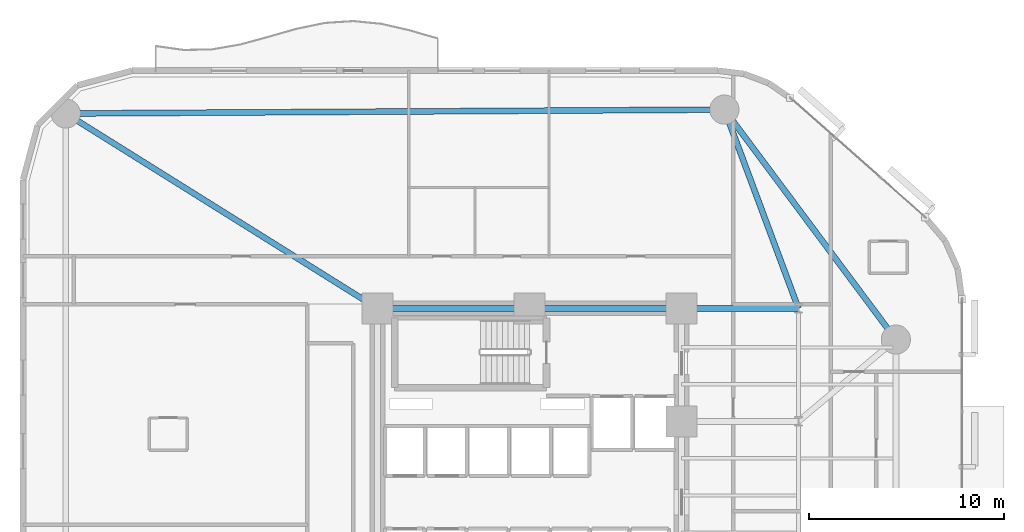
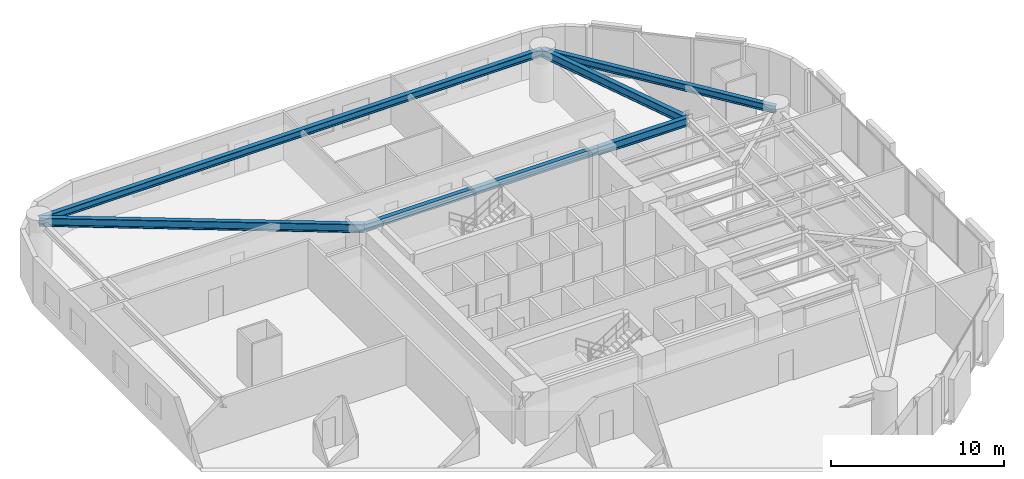
# One storey, part 7 of 16: 6 beams.
"""IFC4 building model written with IfcOpenShell, lengths in metres."""

from ifc_helpers import new_model, si_unit, direction, frame, origin, origin_2d, place, context, subcontext, project, spatial, i_section, extrude, material, material_profile, profile_set, type_object, element, save


model = new_model("IFC4")

# Units and contexts
model_context = context("Model", 3, precision=1e-05, world=origin(), true_north=direction((0.0, 1.0)))
body_context = subcontext(model_context, "Body", "Model", "MODEL_VIEW")
ifc_project = project(units=[si_unit("LENGTHUNIT", "METRE"), si_unit("AREAUNIT", "SQUARE_METRE"), si_unit("VOLUMEUNIT", "CUBIC_METRE"), si_unit("PLANEANGLEUNIT", "RADIAN"), si_unit("MASSUNIT", "GRAM", prefix="KILO")], contexts=[model_context])

# Site, building, storey
site_placement = place(None, origin())
site = spatial("IfcSite", under=ifc_project, at=site_placement, CompositionType="ELEMENT")
building_placement = place(site_placement, origin())
building = spatial("IfcBuilding", under=site, at=building_placement, Name="An Khanh Terracotta Commons", CompositionType="ELEMENT")
storey_placement = place(building_placement, frame((0.0, 0.0, 72.0)))
storey = spatial("IfcBuildingStorey", under=building, at=storey_placement, Name="L19", CompositionType="ELEMENT", Elevation=72.0)

# Beams
ifc_material = material(Name="Steel S355J2", Category="steel")
ifc_material_profile_1 = material_profile(ifc_material, i_section(OverallWidth=0.300048828125, OverallDepth=0.5, WebThickness=0.014404296875, FlangeThickness=0.028076171875, FilletRadius=0.027099609375, at=origin_2d()), Name="HEB500")
ifc_profile_set_1 = profile_set([ifc_material_profile_1], Name="Steel S355J2")
beam_type_1 = type_object("IfcBeamType", Name="BM-HEB500", PredefinedType="BEAM", material=ifc_profile_set_1)
beam_1_placement = place(storey_placement, frame((21.60009765625, 33.60009765625, 3.110107421875), z_axis=(1.0, 0.0, 0.0), x_axis=(0.0, 1.0, 0.0)))
element("IfcBeam", 1, at=beam_1_placement, inside=storey, type_object=beam_type_1, Name="L19 Core North Coupling Girder", PredefinedType="BEAM", context=body_context, shape_type="SweptSolid", body=[
    extrude(i_section(OverallWidth=0.300048828125, OverallDepth=0.5, WebThickness=0.014404296875, FlangeThickness=0.028076171875, FilletRadius=0.027099609375, at=origin_2d()), origin(), (0.0, 0.0, 1.0), 15.599853515625),
])
beam_2_placement = place(storey_placement, frame((48.199951171875, 32.0, 3.110107421875), z_axis=(-0.59782442166, 0.801627070942, 0.0), x_axis=(-0.801627070942, -0.59782442166, 0.0)))
element("IfcBeam", 2, at=beam_2_placement, inside=storey, type_object=beam_type_1, Name="L19 Perimeter Ring Spandrel 4", PredefinedType="BEAM", context=body_context, shape_type="SweptSolid", body=[
    extrude(i_section(OverallWidth=0.300048828125, OverallDepth=0.5, WebThickness=0.014404296875, FlangeThickness=0.028076171875, FilletRadius=0.027099609375, at=origin_2d()), origin(), (0.0, 0.0, 1.0), 14.72021484375),
])
beam_3_placement = place(storey_placement, frame((39.39990234375, 43.800048828125, 3.110107421875), z_axis=(-0.999982502414, -0.005915645817, 0.0), x_axis=(0.005915645817, -0.999982502414, 0.0)))
element("IfcBeam", 3, at=beam_3_placement, inside=storey, type_object=beam_type_1, Name="L19 Perimeter Ring Spandrel 5", PredefinedType="BEAM", context=body_context, shape_type="SweptSolid", body=[
    extrude(i_section(OverallWidth=0.300048828125, OverallDepth=0.5, WebThickness=0.014404296875, FlangeThickness=0.028076171875, FilletRadius=0.027099609375, at=origin_2d()), origin(), (0.0, 0.0, 1.0), 33.80029296875),
])
ifc_material_profile_2 = material_profile(ifc_material, i_section(OverallWidth=0.300048828125, OverallDepth=0.60009765625, WebThickness=0.015380859375, FlangeThickness=0.030029296875, FilletRadius=0.027099609375, at=origin_2d()), Name="HEB600")
ifc_profile_set_2 = profile_set([ifc_material_profile_2], Name="Steel S355J2")
beam_type_2 = type_object("IfcBeamType", Name="BM-HEB600", PredefinedType="BEAM", material=ifc_profile_set_2)
beam_4_placement = place(storey_placement, frame((37.199951171875, 33.60009765625, 3.06005859375), z_axis=(1.0, 0.0, 0.0), x_axis=(0.0, 1.0, 0.0)))
element("IfcBeam", 4, at=beam_4_placement, inside=storey, type_object=beam_type_2, Name="L19 East Primary Floor Girder 4", PredefinedType="BEAM", context=body_context, shape_type="SweptSolid", body=[
    extrude(i_section(OverallWidth=0.300048828125, OverallDepth=0.60009765625, WebThickness=0.015380859375, FlangeThickness=0.030029296875, FilletRadius=0.027099609375, at=origin_2d()), origin(), (0.0, 0.0, 1.0), 6.0),
])
beam_5_placement = place(storey_placement, frame((39.39990234375, 43.800048828125, 3.06005859375), z_axis=(0.349114429862, -0.937080100558, 0.0), x_axis=(0.937080100558, 0.349114429862, 0.0)))
element("IfcBeam", 5, at=beam_5_placement, inside=storey, type_object=beam_type_2, Name="L19 Mega-Column Tie Girder 5", PredefinedType="BEAM", context=body_context, shape_type="SweptSolid", body=[
    extrude(i_section(OverallWidth=0.300048828125, OverallDepth=0.60009765625, WebThickness=0.015380859375, FlangeThickness=0.030029296875, FilletRadius=0.027099609375, at=origin_2d()), origin(), (0.0, 0.0, 1.0), 10.884765625),
])
beam_6_placement = place(storey_placement, frame((5.60009765625, 43.60009765625, 3.06005859375), z_axis=(0.847998304005, -0.529998940003, 0.0), x_axis=(0.529998940003, 0.847998304005, 0.0)))
element("IfcBeam", 6, at=beam_6_placement, inside=storey, type_object=beam_type_2, Name="L19 Mega-Column Tie Girder 6", PredefinedType="BEAM", context=body_context, shape_type="SweptSolid", body=[
    extrude(i_section(OverallWidth=0.300048828125, OverallDepth=0.60009765625, WebThickness=0.015380859375, FlangeThickness=0.030029296875, FilletRadius=0.027099609375, at=origin_2d()), origin(), (0.0, 0.0, 1.0), 18.867919921875),
])

save(model, "model.ifc")
